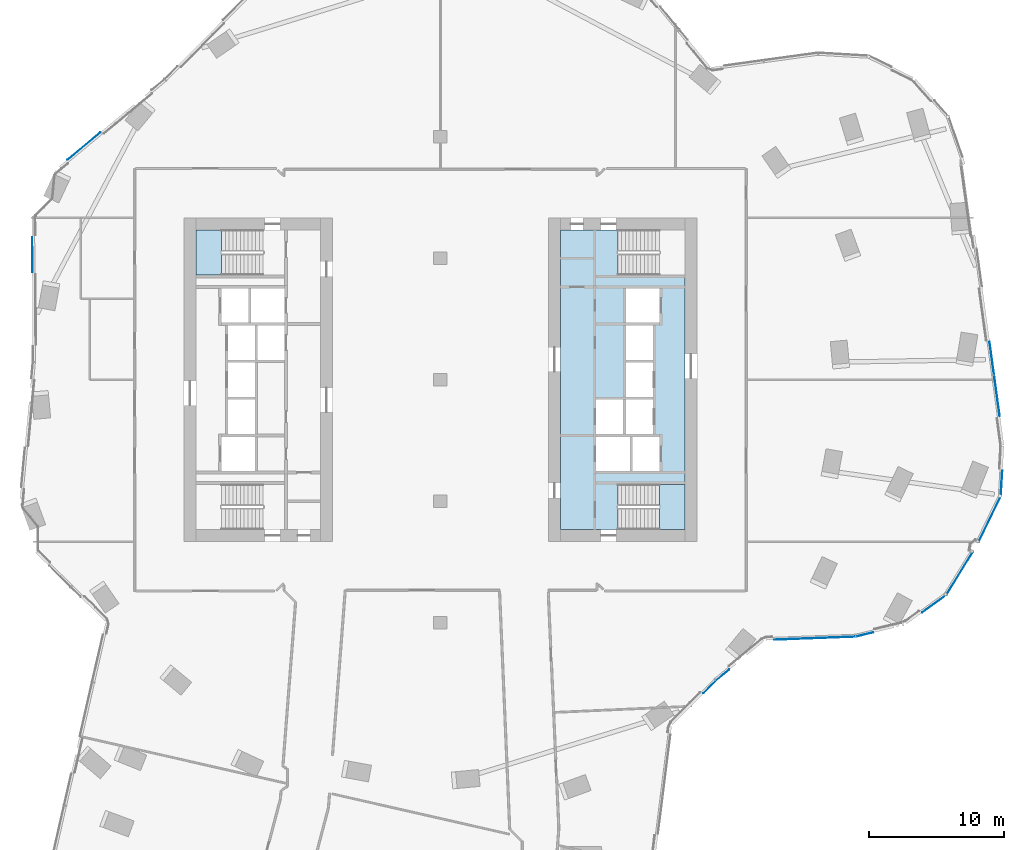
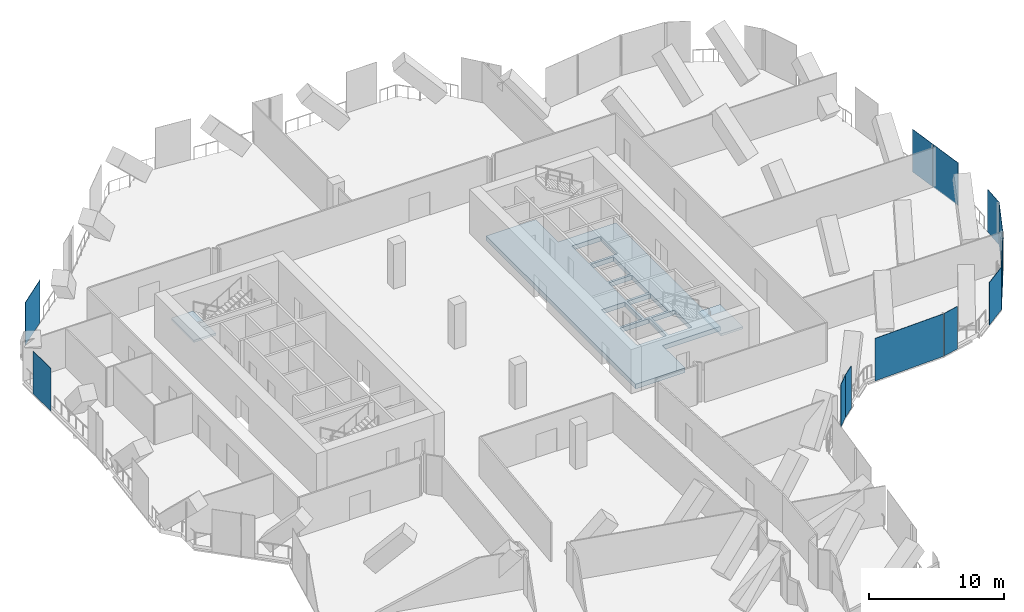
# One storey, part 18 of 29: 12 plates, 3 slabs, 13 elements without a shape of their own.
"""IFC4 building model written with IfcOpenShell, lengths in metres."""

from ifc_helpers import new_model, si_unit, direction, frame, origin, origin_2d, place, context, subcontext, project, spatial, polyline, rectangle, outline, extrude, material, layer, layer_set, type_object, element, aggregate, save


model = new_model("IFC4")

# Units and contexts
model_context = context("Model", 3, precision=1e-05, world=origin(), true_north=direction((0.0, 1.0)))
body_context = subcontext(model_context, "Body", "Model", "MODEL_VIEW")
ifc_project = project(units=[si_unit("LENGTHUNIT", "METRE"), si_unit("AREAUNIT", "SQUARE_METRE"), si_unit("VOLUMEUNIT", "CUBIC_METRE"), si_unit("PLANEANGLEUNIT", "RADIAN"), si_unit("MASSUNIT", "GRAM", prefix="KILO")], contexts=[model_context])

# Site, building, storey
site_placement = place(None, origin())
site = spatial("IfcSite", under=ifc_project, at=site_placement, CompositionType="ELEMENT")
building_placement = place(site_placement, origin())
building = spatial("IfcBuilding", under=site, at=building_placement, Name="Orlundy Tower", CompositionType="ELEMENT")
storey_placement = place(building_placement, frame((0.0, 0.0, 184.60009765625)))
storey = spatial("IfcBuildingStorey", under=building, at=storey_placement, Name="L48", CompositionType="ELEMENT", Elevation=184.60009765625)

# Curtain wall, plate
ifc_material_1 = material(Name="Aluminium bronze anodised", Category="aluminium")
curtain_wall_type = type_object("IfcCurtainWallType", Name="CW5 wall", PredefinedType="NOTDEFINED", material=ifc_material_1)
curtain_wall_1_placement = place(storey_placement, origin())
curtain_wall_1 = element("IfcCurtainWall", 1, at=curtain_wall_1_placement, inside=storey, type_object=curtain_wall_type, Name="CW5 run 04", PredefinedType="NOTDEFINED")
ifc_material_2 = material(Name="Tinted glass", Category="glass")
ifc_layer_1 = layer(ifc_material_2, 0.031982421875)
ifc_layer_set_1 = layer_set([ifc_layer_1], Name="CW5 glass panel 32")
plate_type_1 = type_object("IfcPlateType", Name="CW5 glass panel 32", PredefinedType="CURTAIN_PANEL", material=ifc_layer_set_1)
plate_1_placement = place(storey_placement, frame((-30.238525390625, 9.26025390625, -0.2802734375), z_axis=(0.0, 0.0, 1.0), x_axis=(-0.005848387588, 0.999982898035, 0.0)))
plate_1 = element("IfcPlate", 2, at=plate_1_placement, type_object=plate_type_1, Name="CW5 panel", PredefinedType="CURTAIN_PANEL", context=body_context, shape_type="SweptSolid", body=[
    extrude(rectangle(XDim=2.62158203125, YDim=0.031982421875, at=origin_2d()), origin(), (0.0, 0.0, 1.0), 3.860107421875),
])
aggregate(curtain_wall_1, [plate_1])

curtain_wall_2_placement = place(storey_placement, origin())
curtain_wall_2 = element("IfcCurtainWall", 3, at=curtain_wall_2_placement, inside=storey, type_object=curtain_wall_type, Name="CW5 run 07", PredefinedType="NOTDEFINED")
plate_2_placement = place(storey_placement, frame((-26.41162109375, 17.31005859375, -0.2802734375), z_axis=(0.0, 0.0, 1.0), x_axis=(0.769777681772, 0.638312087185, 0.0)))
plate_2 = element("IfcPlate", 4, at=plate_2_placement, type_object=plate_type_1, Name="CW5 panel", PredefinedType="CURTAIN_PANEL", context=body_context, shape_type="SweptSolid", body=[
    extrude(rectangle(XDim=3.183349609375, YDim=0.031982421875, at=origin_2d()), origin(), (0.0, 0.0, 1.0), 3.860107421875),
])
aggregate(curtain_wall_2, [plate_2])

curtain_wall_3_placement = place(storey_placement, origin())
curtain_wall_3 = element("IfcCurtainWall", 5, at=curtain_wall_3_placement, inside=storey, type_object=curtain_wall_type, Name="CW5 run 021", PredefinedType="NOTDEFINED")
plate_3_placement = place(storey_placement, frame((40.849365234375, 1.58349609375, -0.2802734375), z_axis=(0.0, 0.0, 1.0), x_axis=(0.13628610677, -0.990669519619, 0.0)))
plate_3 = element("IfcPlate", 6, at=plate_3_placement, type_object=plate_type_1, Name="CW5 panel", PredefinedType="CURTAIN_PANEL", context=body_context, shape_type="SweptSolid", body=[
    extrude(rectangle(XDim=2.452392578125, YDim=0.031982421875, at=origin_2d()), origin(), (0.0, 0.0, 1.0), 3.860107421875),
])

curtain_wall_4_placement = place(storey_placement, origin())
curtain_wall_4 = element("IfcCurtainWall", 7, at=curtain_wall_4_placement, inside=storey, type_object=curtain_wall_type, Name="CW5 run 022", PredefinedType="NOTDEFINED")
plate_4_placement = place(storey_placement, frame((41.569580078125, -7.68896484375, -0.2802734375), z_axis=(0.0, 0.0, 1.0), x_axis=(-0.059623466872, -0.998220938569, 0.0)))
plate_4 = element("IfcPlate", 8, at=plate_4_placement, type_object=plate_type_1, Name="CW5 panel", PredefinedType="CURTAIN_PANEL", context=body_context, shape_type="SweptSolid", body=[
    extrude(rectangle(XDim=1.88427734375, YDim=0.031982421875, at=origin_2d()), origin(), (0.0, 0.0, 1.0), 3.860107421875),
])
aggregate(curtain_wall_4, [plate_4])

curtain_wall_5_placement = place(storey_placement, origin())
curtain_wall_5 = element("IfcCurtainWall", 9, at=curtain_wall_5_placement, inside=storey, type_object=curtain_wall_type, Name="CW5 run 023", PredefinedType="NOTDEFINED")
plate_5_placement = place(storey_placement, frame((40.6875, -10.329345703125, -0.2802734375), z_axis=(0.0, 0.0, 1.0), x_axis=(-0.437041163358, -0.899441505342, 0.0)))
plate_5 = element("IfcPlate", 10, at=plate_5_placement, type_object=plate_type_1, Name="CW5 panel", PredefinedType="CURTAIN_PANEL", context=body_context, shape_type="SweptSolid", body=[
    extrude(rectangle(XDim=3.77978515625, YDim=0.031982421875, at=origin_2d()), origin(), (0.0, 0.0, 1.0), 3.860107421875),
])
aggregate(curtain_wall_5, [plate_5])

curtain_wall_6_placement = place(storey_placement, origin())
curtain_wall_6 = element("IfcCurtainWall", 11, at=curtain_wall_6_placement, inside=storey, type_object=curtain_wall_type, Name="CW5 run 026", PredefinedType="NOTDEFINED")
plate_6_placement = place(storey_placement, frame((38.4697265625, -14.33447265625, -0.2802734375), z_axis=(0.0, 0.0, 1.0), x_axis=(-0.523826505898, -0.851824977163, 0.0)))
plate_6 = element("IfcPlate", 12, at=plate_6_placement, type_object=plate_type_1, Name="CW5 panel", PredefinedType="CURTAIN_PANEL", context=body_context, shape_type="SweptSolid", body=[
    extrude(rectangle(XDim=3.780517578125, YDim=0.031982421875, at=origin_2d()), origin(), (0.0, 0.0, 1.0), 3.860107421875),
])
aggregate(curtain_wall_6, [plate_6])

curtain_wall_7_placement = place(storey_placement, origin())
curtain_wall_7 = element("IfcCurtainWall", 13, at=curtain_wall_7_placement, inside=storey, type_object=curtain_wall_type, Name="CW5 run 028", PredefinedType="NOTDEFINED")
plate_7_placement = place(storey_placement, frame((31.43017578125, -18.875244140625, -0.2802734375), z_axis=(0.0, 0.0, 1.0), x_axis=(-0.972643862343, -0.232301349645, 0.0)))
plate_7 = element("IfcPlate", 14, at=plate_7_placement, type_object=plate_type_1, Name="CW5 panel", PredefinedType="CURTAIN_PANEL", context=body_context, shape_type="SweptSolid", body=[
    extrude(rectangle(XDim=1.32763671875, YDim=0.031982421875, at=origin_2d()), origin(), (0.0, 0.0, 1.0), 3.860107421875),
])
aggregate(curtain_wall_7, [plate_7])

curtain_wall_8_placement = place(storey_placement, origin())
curtain_wall_8 = element("IfcCurtainWall", 15, at=curtain_wall_8_placement, inside=storey, type_object=curtain_wall_type, Name="CW5 run 029", PredefinedType="NOTDEFINED")
plate_8_placement = place(storey_placement, frame((27.724609375, -19.14990234375, -0.2802734375), z_axis=(0.0, 0.0, 1.0), x_axis=(-0.999287923787, -0.037731225433, 0.0)))
plate_8 = element("IfcPlate", 16, at=plate_8_placement, type_object=plate_type_1, Name="CW5 panel", PredefinedType="CURTAIN_PANEL", context=body_context, shape_type="SweptSolid", body=[
    extrude(rectangle(XDim=6.025146484375, YDim=0.031982421875, at=origin_2d()), origin(), (0.0, 0.0, 1.0), 3.860107421875),
])
aggregate(curtain_wall_8, [plate_8])

curtain_wall_9_placement = place(storey_placement, origin())
curtain_wall_9 = element("IfcCurtainWall", 17, at=curtain_wall_9_placement, inside=storey, type_object=curtain_wall_type, Name="CW5 run 031", PredefinedType="NOTDEFINED")
plate_9_placement = place(storey_placement, frame((19.939453125, -22.764404296875, -0.2802734375), z_axis=(0.0, 0.0, 1.0), x_axis=(-0.702997942703, -0.711191881671, 0.0)))
plate_9 = element("IfcPlate", 18, at=plate_9_placement, type_object=plate_type_1, Name="CW5 panel", PredefinedType="CURTAIN_PANEL", context=body_context, shape_type="SweptSolid", body=[
    extrude(rectangle(XDim=1.3095703125, YDim=0.031982421875, at=origin_2d()), origin(), (0.0, 0.0, 1.0), 3.860107421875),
])
aggregate(curtain_wall_9, [plate_9])

# Plate
ifc_material_3 = material(Name="Tinted glass", Category="glass")
ifc_layer_2 = layer(ifc_material_3, 0.031982421875)
ifc_layer_set_2 = layer_set([ifc_layer_2], Name="CW5 vent panel 32")
plate_type_2 = type_object("IfcPlateType", Name="CW5 vent panel 32", PredefinedType="CURTAIN_PANEL", material=ifc_layer_set_2)
plate_10_placement = place(storey_placement, frame((41.229736328125, -1.1826171875, -0.2802734375), z_axis=(0.0, 0.0, 1.0), x_axis=(0.13628610677, -0.990669519619, 0.0)))
plate_10 = element("IfcPlate", 19, at=plate_10_placement, type_object=plate_type_2, Name="CW5 panel", PredefinedType="CURTAIN_PANEL", context=body_context, shape_type="SweptSolid", body=[
    extrude(rectangle(XDim=3.031982421875, YDim=0.031982421875, at=origin_2d()), origin(), (0.0, 0.0, 1.0), 3.860107421875),
])

aggregate(curtain_wall_3, [plate_3, plate_10])

# Curtain wall, plate
curtain_wall_10_placement = place(storey_placement, origin())
curtain_wall_10 = element("IfcCurtainWall", 20, at=curtain_wall_10_placement, inside=storey, type_object=curtain_wall_type, Name="CW5 run 027", PredefinedType="NOTDEFINED")
plate_11_placement = place(storey_placement, frame((36.58349609375, -16.593505859375, -0.2802734375), z_axis=(0.0, 0.0, 1.0), x_axis=(-0.809924443503, -0.586534223909, 0.0)))
plate_11 = element("IfcPlate", 21, at=plate_11_placement, type_object=plate_type_2, Name="CW5 panel", PredefinedType="CURTAIN_PANEL", context=body_context, shape_type="SweptSolid", body=[
    extrude(rectangle(XDim=2.212646484375, YDim=0.031982421875, at=origin_2d()), origin(), (0.0, 0.0, 1.0), 3.860107421875),
])
aggregate(curtain_wall_10, [plate_11])

curtain_wall_11_placement = place(storey_placement, origin())
curtain_wall_11 = element("IfcCurtainWall", 22, at=curtain_wall_11_placement, inside=storey, type_object=curtain_wall_type, Name="CW5 run 030", PredefinedType="NOTDEFINED")
plate_12_placement = place(storey_placement, frame((20.919921875, -21.864013671875, -0.2802734375), z_axis=(0.0, 0.0, 1.0), x_axis=(-0.76973528815, -0.638363208665, 0.0)))
plate_12 = element("IfcPlate", 23, at=plate_12_placement, type_object=plate_type_2, Name="CW5 panel", PredefinedType="CURTAIN_PANEL", context=body_context, shape_type="SweptSolid", body=[
    extrude(rectangle(XDim=1.255615234375, YDim=0.031982421875, at=origin_2d()), origin(), (0.0, 0.0, 1.0), 3.860107421875),
])
aggregate(curtain_wall_11, [plate_12])

# Slab
ifc_material_4 = material(Name="Concrete C50/60", Category="concrete")
ifc_layer_3 = layer(ifc_material_4, 0.419921875)
ifc_layer_set_3 = layer_set([ifc_layer_3], Name="Core Floor Slab 420")
slab_type_1 = type_object("IfcSlabType", Name="Core Floor Slab 420", PredefinedType="FLOOR", material=ifc_layer_set_3)
slab_1_placement = place(storey_placement, frame((0.0, 0.0, -0.420166015625)))
element("IfcSlab", 24, at=slab_1_placement, inside=storey, type_object=slab_type_1, Name="Core floor E37", PredefinedType="FLOOR", context=body_context, shape_type="SweptSolid", body=[
    extrude(outline(polyline([(13.14501953125, 11.10009765625), (13.14501953125, 7.75), (18.10009765625, 7.75), (18.10009765625, -7.75), (13.14501953125, -7.75), (13.14501953125, -11.10009765625), (8.89990234375, -11.10009765625), (8.89990234375, 11.10009765625), (13.14501953125, 11.10009765625)]), holes=[polyline([(13.739990234375, 4.22509765625), (16.239990234375, 4.22509765625), (16.239990234375, 6.77490234375), (13.739990234375, 6.77490234375), (13.739990234375, 4.22509765625)]), polyline([(13.739990234375, 4.02490234375), (13.739990234375, 1.47509765625), (15.739990234375, 1.47509765625), (15.739990234375, 4.02490234375), (13.739990234375, 4.02490234375)]), polyline([(15.739990234375, 1.27490234375), (13.739990234375, 1.27490234375), (13.739990234375, -1.27490234375), (15.739990234375, -1.27490234375), (15.739990234375, 1.27490234375)]), polyline([(13.5400390625, -4.02490234375), (13.5400390625, -1.47509765625), (11.5400390625, -1.47509765625), (11.5400390625, -4.02490234375), (13.5400390625, -4.02490234375)]), polyline([(13.739990234375, -4.02490234375), (15.739990234375, -4.02490234375), (15.739990234375, -1.47509765625), (13.739990234375, -1.47509765625), (13.739990234375, -4.02490234375)]), polyline([(11.5400390625, -4.22509765625), (11.5400390625, -6.77490234375), (14.0400390625, -6.77490234375), (14.0400390625, -4.22509765625), (11.5400390625, -4.22509765625)]), polyline([(16.239990234375, -4.22509765625), (14.239990234375, -4.22509765625), (14.239990234375, -6.77490234375), (16.239990234375, -6.77490234375), (16.239990234375, -4.22509765625)])]), origin(), (0.0, 0.0, 1.0), 0.420166015625),
])

# Stair, slab
ifc_material_5 = material(Name="Concrete C50/60", Category="concrete")
stair_type = type_object("IfcStairType", Name="Exit Stair 24 risers", PredefinedType="HALF_TURN_STAIR", material=ifc_material_5)
stair_1_placement = place(storey_placement, origin())
stair_1 = element("IfcStair", 25, at=stair_1_placement, inside=storey, type_object=stair_type, Name="L48 Exit Stair ST-W1", PredefinedType="HALF_TURN_STAIR")
ifc_material_6 = material(Name="Concrete C50/60", Category="concrete")
ifc_layer_4 = layer(ifc_material_6, 0.199951171875)
ifc_layer_set_4 = layer_set([ifc_layer_4], Name="Exit Stair Landing")
slab_type_2 = type_object("IfcSlabType", Name="Exit Stair Landing", PredefinedType="LANDING", material=ifc_layer_set_4)
slab_2_placement = place(storey_placement, frame((0.0, 0.0, 1.7998046875)))
slab_2 = element("IfcSlab", 26, at=slab_2_placement, type_object=slab_type_2, Name="ST-W1 landing 1", PredefinedType="LANDING", context=body_context, shape_type="SweptSolid", body=[
    extrude(outline(polyline([(-16.219970703125, 11.10009765625), (-18.10009765625, 11.10009765625), (-18.10009765625, 7.75), (-16.219970703125, 7.75), (-16.219970703125, 11.10009765625)])), origin(), (0.0, 0.0, 1.0), 0.2001953125),
])
aggregate(stair_1, [slab_2])

stair_2_placement = place(storey_placement, origin())
stair_2 = element("IfcStair", 27, at=stair_2_placement, inside=storey, type_object=stair_type, Name="L48 Exit Stair ST-E1", PredefinedType="HALF_TURN_STAIR")
slab_3_placement = place(storey_placement, frame((0.0, 0.0, 1.7998046875)))
slab_3 = element("IfcSlab", 28, at=slab_3_placement, type_object=slab_type_2, Name="ST-E1 landing 1", PredefinedType="LANDING", context=body_context, shape_type="SweptSolid", body=[
    extrude(outline(polyline([(16.219970703125, -11.10009765625), (18.10009765625, -11.10009765625), (18.10009765625, -7.75), (16.219970703125, -7.75), (16.219970703125, -11.10009765625)])), origin(), (0.0, 0.0, 1.0), 0.2001953125),
])
aggregate(stair_2, [slab_3])

save(model, "model.ifc")
